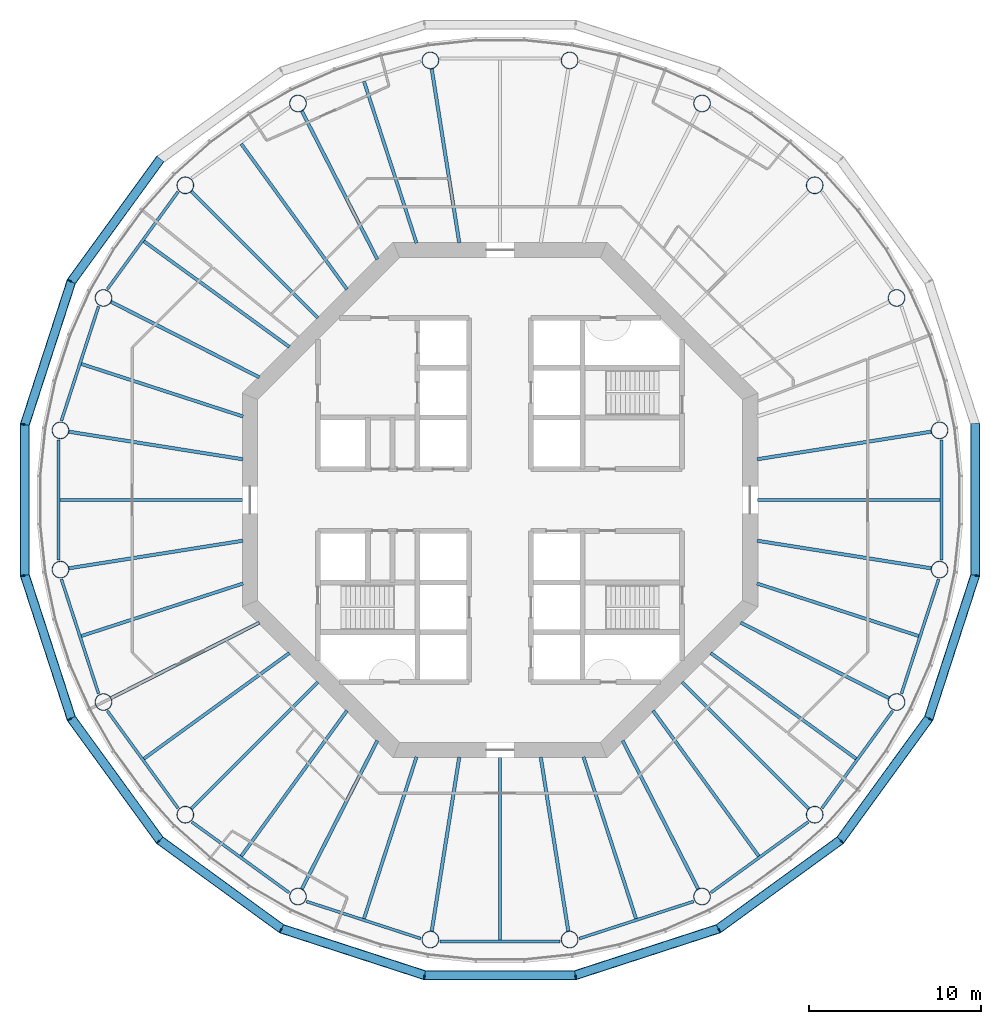
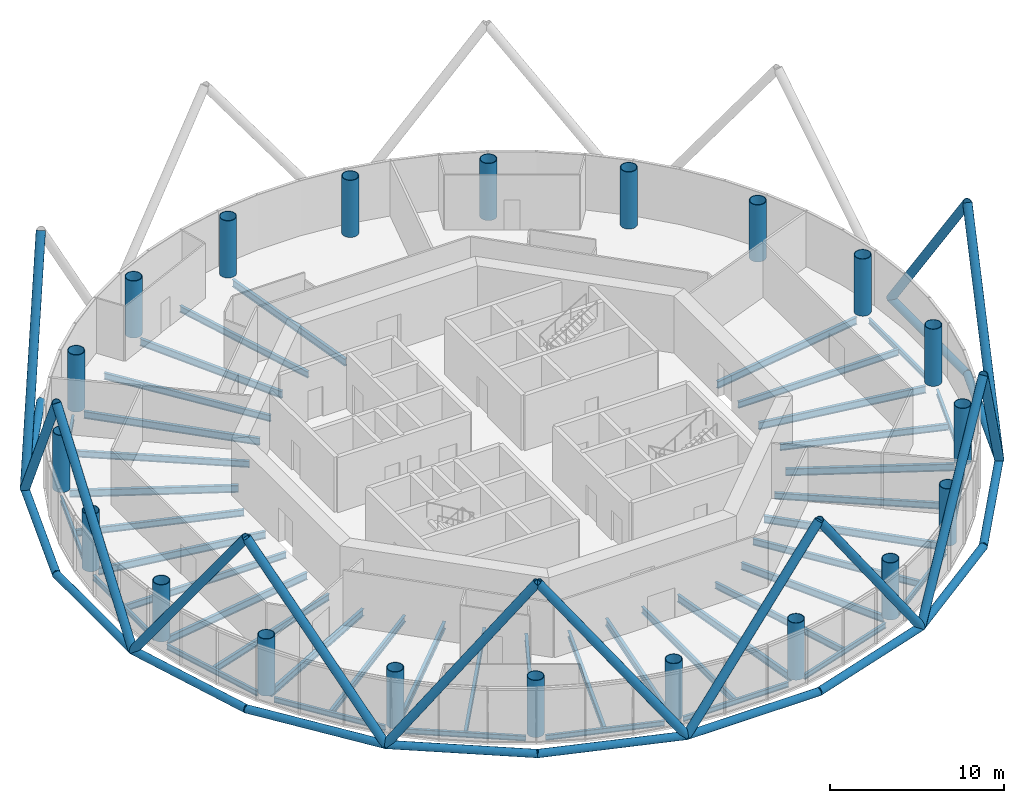
# One storey, part 1 of 12: 44 beams, 26 members, 20 columns.
"""IFC4 building model written with IfcOpenShell, lengths in metres."""

from ifc_helpers import new_model, si_unit, direction, frame, origin, origin_2d, place, context, subcontext, project, spatial, circle, hollow_circle, i_section, extrude, material, material_profile, profile_set, type_object, element, save


model = new_model("IFC4")

# Units and contexts
model_context = context("Model", 3, precision=1e-05, world=origin(), true_north=direction((0.0, 1.0)))
body_context = subcontext(model_context, "Body", "Model", "MODEL_VIEW")
ifc_project = project(units=[si_unit("LENGTHUNIT", "METRE"), si_unit("AREAUNIT", "SQUARE_METRE"), si_unit("VOLUMEUNIT", "CUBIC_METRE"), si_unit("PLANEANGLEUNIT", "RADIAN"), si_unit("MASSUNIT", "GRAM", prefix="KILO")], contexts=[model_context])

# Site, building, storey
site_placement = place(None, origin())
site = spatial("IfcSite", under=ifc_project, at=site_placement, CompositionType="ELEMENT")
building_placement = place(site_placement, origin())
building = spatial("IfcBuilding", under=site, at=building_placement, Name="Entoto Ring Tower", CompositionType="ELEMENT")
storey_placement = place(building_placement, frame((0.0, 0.0, 206.0)))
storey = spatial("IfcBuildingStorey", under=building, at=storey_placement, Name="L47", CompositionType="ELEMENT", Elevation=206.0)

# Columns
ifc_material_1 = material(Name="Steel S355", Category="steel")
ifc_material_profile_1 = material_profile(ifc_material_1, hollow_circle(Radius=0.5, WallThickness=0.0400390625, at=origin_2d()), Name="CHS 1000 x 40")
ifc_material_2 = material(Name="Concrete C60/75", Category="concrete")
ifc_material_profile_2 = material_profile(ifc_material_2, circle(Radius=0.4599609375, at=origin_2d()), Name="Concrete C60/75 infill")
ifc_profile_set_1 = profile_set([ifc_material_profile_1, ifc_material_profile_2], Name="Steel S355")
column_type = type_object("IfcColumnType", Name="Ring column 1000 x 40 concrete-filled tube", PredefinedType="COLUMN", material=ifc_profile_set_1)
for number, where, z_axis, x_axis, name in (
    (1, (115.5810546875, 84.0517578125, 0.0), (0.0, 0.0, 1.0), (1.0, 0.0, 0.0), "RC4 R01"),
    (2, (113.0771484375, 91.75830078125, 0.0), (0.0, 0.0, 1.0), (1.0, 0.0, 0.0), "RC4 R02"),
    (3, (108.31396484375, 98.31396484375, 0.0), (0.0, 0.0, 1.0), (1.0, 0.0, 0.0), "RC4 R03"),
    (4, (101.75830078125, 103.0771484375, 0.0), (0.0, 0.0, 1.0), (1.0, 0.0, 0.0), "RC4 R04"),
    (5, (94.0517578125, 105.5810546875, 0.0), (0.0, 0.0, 1.0), (1.0, 0.0, 0.0), "RC4 R05"),
    (6, (85.9482421875, 105.5810546875, 0.0), (0.0, 0.0, 1.0), (1.0, 0.0, 0.0), "RC4 R06"),
    (7, (78.24169921875, 103.0771484375, 0.0), (0.0, 0.0, 1.0), (1.0, 0.0, 0.0), "RC4 R07"),
    (8, (71.68603515625, 98.31396484375, 0.0), (0.0, 0.0, 1.0), (1.0, 0.0, 0.0), "RC4 R08"),
    (9, (66.9228515625, 91.75830078125, 0.0), (0.0, 0.0, 1.0), (1.0, 0.0, 0.0), "RC4 R09"),
    (10, (64.4189453125, 84.0517578125, 0.0), (0.0, 0.0, 1.0), (1.0, 0.0, 0.0), "RC4 R10"),
    (11, (64.4189453125, 75.9482421875, 0.0), (0.0, 0.0, 1.0), (1.0, 0.0, 0.0), "RC4 R11"),
    (12, (66.9228515625, 68.24169921875, 0.0), (0.0, 0.0, 1.0), (1.0, 0.0, 0.0), "RC4 R12"),
    (13, (71.68603515625, 61.68603515625, 0.0), (0.0, 0.0, 1.0), (1.0, 0.0, 0.0), "RC4 R13"),
    (14, (78.24169921875, 56.9228515625, 0.0), (0.0, 0.0, 1.0), (1.0, 0.0, 0.0), "RC4 R14"),
    (15, (85.9482421875, 54.4189453125, 0.0), (0.0, 0.0, 1.0), (1.0, 0.0, 0.0), "RC4 R15"),
    (16, (94.0517578125, 54.4189453125, 0.0), (0.0, 0.0, 1.0), (1.0, 0.0, 0.0), "RC4 R16"),
    (17, (101.75830078125, 56.9228515625, 0.0), (0.0, 0.0, 1.0), (1.0, 0.0, 0.0), "RC4 R17"),
    (18, (108.31396484375, 61.68603515625, 0.0), (0.0, 0.0, 1.0), (1.0, 0.0, 0.0), "RC4 R18"),
    (19, (113.0771484375, 68.24169921875, 0.0), (0.0, 0.0, 1.0), (1.0, 0.0, 0.0), "RC4 R19"),
    (20, (115.5810546875, 75.9482421875, 0.0), (0.0, 0.0, 1.0), (1.0, 0.0, 0.0), "RC4 R20"),
):
    element("IfcColumn", number, at=place(storey_placement, frame(where, z_axis=z_axis, x_axis=x_axis)), inside=storey, type_object=column_type, Name=name, PredefinedType="COLUMN", context=body_context, shape_type="SweptSolid", body=[
        extrude(hollow_circle(Radius=0.5, WallThickness=0.0400390625, at=origin_2d()), origin(), (0.0, 0.0, 1.0), 4.0),
    ])

# Members
ifc_material_3 = material(Name="Steel S355", Category="steel")
ifc_material_profile_3 = material_profile(ifc_material_3, hollow_circle(Radius=0.279541015625, WallThickness=0.028076171875, at=origin_2d()), Name="CHS 559 x 28")
ifc_material_4 = material(Name="Concrete C60/75", Category="concrete")
ifc_material_profile_4 = material_profile(ifc_material_4, circle(Radius=0.25146484375, at=origin_2d()), Name="Concrete C60/75 infill")
ifc_profile_set_2 = profile_set([ifc_material_profile_3, ifc_material_profile_4], Name="Steel S355")
member_type_1 = type_object("IfcMemberType", Name="Diagrid diagonal 559 x 28 concrete-filled tube", PredefinedType="BRACE", material=ifc_profile_set_2)
for number, where, z_axis, x_axis, name in (
    (21, (117.6552734375, 84.380126953125, 0.0), (0.0, -0.589622651769, 0.807678852342), (1.0, 0.0, 0.0), "DG5A module 15 01"),
    (22, (65.0517578125, 92.711669921875, 0.0), (0.346570479178, 0.477025319356, 0.807673045022), (-0.809024012567, 0.587775592458, 0.0), "DG5A module 15 09"),
    (23, (65.0517578125, 92.711669921875, 0.0), (-0.182200752594, -0.56076685453, 0.807677795049), (0.95105823263, -0.309011711991, 0.0), "DG5A module 15 10"),
    (24, (62.3447265625, 75.619873046875, 0.0), (0.0, 0.589622651769, 0.807678852342), (-1.0, 0.0, 0.0), "DG5A module 15 11"),
    (25, (62.3447265625, 75.619873046875, 0.0), (0.182200752594, -0.56076685453, 0.807677795049), (0.95105823263, 0.309011711991, 0.0), "DG5A module 15 12"),
    (26, (70.200927734375, 60.200927734375, 0.0), (-0.346570479178, 0.477025319356, 0.807673045022), (-0.809024012567, -0.587775592458, 0.0), "DG5A module 15 13"),
    (27, (70.200927734375, 60.200927734375, 0.0), (0.477025319356, -0.346570479178, 0.807673045022), (0.587775592458, 0.809024012567, 0.0), "DG5A module 15 14"),
    (28, (85.619873046875, 52.3447265625, 0.0), (-0.56076685453, 0.182200752594, 0.807677795049), (-0.309011711991, -0.95105823263, 0.0), "DG5A module 15 15"),
    (29, (85.619873046875, 52.3447265625, 0.0), (0.589622651769, 0.0, 0.807678852342), (0.0, 1.0, 0.0), "DG5A module 15 16"),
    (30, (102.711669921875, 55.0517578125, 0.0), (-0.56076685453, -0.182200752594, 0.807677795049), (0.309011711991, -0.95105823263, 0.0), "DG5A module 15 17"),
    (31, (102.711669921875, 55.0517578125, 0.0), (0.477025319356, 0.346570479178, 0.807673045022), (-0.587775592458, 0.809024012567, 0.0), "DG5A module 15 18"),
    (32, (114.9482421875, 67.288330078125, 0.0), (-0.346570479178, -0.477025319356, 0.807673045022), (0.809024012567, -0.587775592458, 0.0), "DG5A module 15 19"),
    (33, (114.9482421875, 67.288330078125, 0.0), (0.182200752594, 0.56076685453, 0.807677795049), (-0.95105823263, 0.309011711991, 0.0), "DG5A module 15 20"),
):
    element("IfcMember", number, at=place(storey_placement, frame(where, z_axis=z_axis, x_axis=x_axis)), inside=storey, type_object=member_type_1, Name=name, PredefinedType="BRACE", context=body_context, shape_type="SweptSolid", body=[
        extrude(hollow_circle(Radius=0.279541015625, WallThickness=0.028076171875, at=origin_2d()), origin(), (0.0, 0.0, 1.0), 14.857421875),
    ])
ifc_material_5 = material(Name="Steel S355", Category="steel")
ifc_material_profile_5 = material_profile(ifc_material_5, hollow_circle(Radius=0.25390625, WallThickness=0.030029296875, at=origin_2d()), Name="CHS 508 x 30")
ifc_material_6 = material(Name="Concrete C60/75", Category="concrete")
ifc_material_profile_6 = material_profile(ifc_material_6, circle(Radius=0.22412109375, at=origin_2d()), Name="Concrete C60/75 infill")
ifc_profile_set_3 = profile_set([ifc_material_profile_5, ifc_material_profile_6], Name="Steel S355")
member_type_2 = type_object("IfcMemberType", Name="Diagrid ring beam 508 x 30", PredefinedType="CHORD", material=ifc_profile_set_3)
for number, where, z_axis, x_axis, name in (
    (34, (70.236328125, 99.84765625, 0.0), (-0.587790766961, -0.809012987705, 0.0), (0.809012987705, -0.587790766961, 0.0), "DR2 ring 14 08"),
    (35, (65.0703125, 92.76904296875, 0.0), (-0.309002151976, -0.951061338755, 0.0), (0.951061338755, -0.309002151976, 0.0), "DR2 ring 14 09"),
):
    element("IfcMember", number, at=place(storey_placement, frame(where, z_axis=z_axis, x_axis=x_axis)), inside=storey, type_object=member_type_2, Name=name, PredefinedType="CHORD", context=body_context, shape_type="SweptSolid", body=[
        extrude(hollow_circle(Radius=0.25390625, WallThickness=0.030029296875, at=origin_2d()), origin(), (0.0, 0.0, 1.0), 8.880615234375),
    ])
member_1_placement = place(storey_placement, frame((62.3447265625, 84.4404296875, 0.0), z_axis=(0.0, -1.0, 0.0), x_axis=(1.0, 0.0, 0.0)))
element("IfcMember", 36, at=member_1_placement, inside=storey, type_object=member_type_2, Name="DR2 ring 14 10", PredefinedType="CHORD", context=body_context, shape_type="SweptSolid", body=[
    extrude(hollow_circle(Radius=0.25390625, WallThickness=0.030029296875, at=origin_2d()), origin(), (0.0, 0.0, 1.0), 8.880859375),
])
for number, where, z_axis, x_axis, name in (
    (37, (62.326171875, 75.677001953125, 0.0), (0.309002151976, -0.951061338755, 0.0), (0.951061338755, 0.309002151976, 0.0), "DR2 ring 14 11"),
    (38, (65.016357421875, 67.3369140625, 0.0), (0.587790766961, -0.809012987705, 0.0), (0.809012987705, 0.587790766961, 0.0), "DR2 ring 14 12"),
    (39, (70.15234375, 60.236328125, 0.0), (0.809012987705, -0.587790766961, 0.0), (0.587790766961, 0.809012987705, 0.0), "DR2 ring 14 13"),
    (40, (77.23095703125, 55.0703125, 0.0), (0.951061338755, -0.309002151976, 0.0), (0.309002151976, 0.951061338755, 0.0), "DR2 ring 14 14"),
):
    element("IfcMember", number, at=place(storey_placement, frame(where, z_axis=z_axis, x_axis=x_axis)), inside=storey, type_object=member_type_2, Name=name, PredefinedType="CHORD", context=body_context, shape_type="SweptSolid", body=[
        extrude(hollow_circle(Radius=0.25390625, WallThickness=0.030029296875, at=origin_2d()), origin(), (0.0, 0.0, 1.0), 8.880615234375),
    ])
member_2_placement = place(storey_placement, frame((85.5595703125, 52.3447265625, 0.0), z_axis=(1.0, 0.0, 0.0), x_axis=(0.0, 1.0, 0.0)))
element("IfcMember", 41, at=member_2_placement, inside=storey, type_object=member_type_2, Name="DR2 ring 14 15", PredefinedType="CHORD", context=body_context, shape_type="SweptSolid", body=[
    extrude(hollow_circle(Radius=0.25390625, WallThickness=0.030029296875, at=origin_2d()), origin(), (0.0, 0.0, 1.0), 8.880859375),
])
for number, where, z_axis, x_axis, name in (
    (42, (94.322998046875, 52.326171875, 0.0), (0.951061338755, 0.309002151976, 0.0), (-0.309002151976, 0.951061338755, 0.0), "DR2 ring 14 16"),
    (43, (102.6630859375, 55.016357421875, 0.0), (0.809012987705, 0.587790766961, 0.0), (-0.587790766961, 0.809012987705, 0.0), "DR2 ring 14 17"),
    (44, (109.763671875, 60.15234375, 0.0), (0.587790766961, 0.809012987705, 0.0), (-0.809012987705, 0.587790766961, 0.0), "DR2 ring 14 18"),
    (45, (114.9296875, 67.23095703125, 0.0), (0.309002151976, 0.951061338755, 0.0), (-0.951061338755, 0.309002151976, 0.0), "DR2 ring 14 19"),
):
    element("IfcMember", number, at=place(storey_placement, frame(where, z_axis=z_axis, x_axis=x_axis)), inside=storey, type_object=member_type_2, Name=name, PredefinedType="CHORD", context=body_context, shape_type="SweptSolid", body=[
        extrude(hollow_circle(Radius=0.25390625, WallThickness=0.030029296875, at=origin_2d()), origin(), (0.0, 0.0, 1.0), 8.880615234375),
    ])
member_3_placement = place(storey_placement, frame((117.6552734375, 75.5595703125, 0.0), z_axis=(0.0, 1.0, 0.0), x_axis=(-1.0, 0.0, 0.0)))
element("IfcMember", 46, at=member_3_placement, inside=storey, type_object=member_type_2, Name="DR2 ring 14 20", PredefinedType="CHORD", context=body_context, shape_type="SweptSolid", body=[
    extrude(hollow_circle(Radius=0.25390625, WallThickness=0.030029296875, at=origin_2d()), origin(), (0.0, 0.0, 1.0), 8.880859375),
])

# Beams
ifc_material_7 = material(Name="Steel S355", Category="steel")
ifc_material_profile_7 = material_profile(ifc_material_7, i_section(OverallWidth=0.169921875, OverallDepth=0.360107421875, WebThickness=0.008056640625, FlangeThickness=0.0126953125, FilletRadius=0.01806640625, at=origin_2d()), Name="IPE 360")
ifc_profile_set_4 = profile_set([ifc_material_profile_7], Name="Steel S355")
beam_type_1 = type_object("IfcBeamType", Name="Edge beam IPE 360", PredefinedType="SPANDREL", material=ifc_profile_set_4)
for number, where, z_axis, x_axis, name in (
    (47, (71.262939453125, 97.935302734375, -0.330078125), (-0.587787616177, -0.809015276907, 0.0), (0.809015276907, -0.587787616177, 0.0), "Edge beam L47 08"),
    (48, (66.6376953125, 91.267578125, -0.330078125), (-0.308992134367, -0.951064593442, 0.0), (0.951064593442, -0.308992134367, 0.0), "Edge beam L47 09"),
):
    element("IfcBeam", number, at=place(storey_placement, frame(where, z_axis=z_axis, x_axis=x_axis)), inside=storey, type_object=beam_type_1, Name=name, PredefinedType="SPANDREL", context=body_context, shape_type="SweptSolid", body=[
        extrude(i_section(OverallWidth=0.169921875, OverallDepth=0.360107421875, WebThickness=0.008056640625, FlangeThickness=0.0126953125, FilletRadius=0.01806640625, at=origin_2d()), origin(), (0.0, 0.0, 1.0), 6.993408203125),
    ])
beam_1_placement = place(storey_placement, frame((64.29931640625, 83.49658203125, -0.330078125), z_axis=(0.0, -1.0, 0.0), x_axis=(1.0, 0.0, 0.0)))
element("IfcBeam", 49, at=beam_1_placement, inside=storey, type_object=beam_type_1, Name="Edge beam L47 10", PredefinedType="SPANDREL", context=body_context, shape_type="SweptSolid", body=[
    extrude(i_section(OverallWidth=0.169921875, OverallDepth=0.360107421875, WebThickness=0.008056640625, FlangeThickness=0.0126953125, FilletRadius=0.01806640625, at=origin_2d()), origin(), (0.0, 0.0, 1.0), 6.9931640625),
])
for number, where, z_axis, x_axis, name in (
    (50, (64.476806640625, 75.383544921875, -0.330078125), (0.308992134367, -0.951064593442, 0.0), (0.951064593442, 0.308992134367, 0.0), "Edge beam L47 11"),
    (51, (67.15234375, 67.722412109375, -0.330078125), (0.587787616177, -0.809015276907, 0.0), (0.809015276907, 0.587787616177, 0.0), "Edge beam L47 12"),
    (52, (72.064697265625, 61.262939453125, -0.330078125), (0.809015276907, -0.587787616177, 0.0), (0.587787616177, 0.809015276907, 0.0), "Edge beam L47 13"),
    (53, (78.732421875, 56.6376953125, -0.330078125), (0.951064593442, -0.308992134367, 0.0), (0.308992134367, 0.951064593442, 0.0), "Edge beam L47 14"),
):
    element("IfcBeam", number, at=place(storey_placement, frame(where, z_axis=z_axis, x_axis=x_axis)), inside=storey, type_object=beam_type_1, Name=name, PredefinedType="SPANDREL", context=body_context, shape_type="SweptSolid", body=[
        extrude(i_section(OverallWidth=0.169921875, OverallDepth=0.360107421875, WebThickness=0.008056640625, FlangeThickness=0.0126953125, FilletRadius=0.01806640625, at=origin_2d()), origin(), (0.0, 0.0, 1.0), 6.993408203125),
    ])
beam_2_placement = place(storey_placement, frame((86.50341796875, 54.29931640625, -0.330078125), z_axis=(1.0, 0.0, 0.0), x_axis=(0.0, 1.0, 0.0)))
element("IfcBeam", 54, at=beam_2_placement, inside=storey, type_object=beam_type_1, Name="Edge beam L47 15", PredefinedType="SPANDREL", context=body_context, shape_type="SweptSolid", body=[
    extrude(i_section(OverallWidth=0.169921875, OverallDepth=0.360107421875, WebThickness=0.008056640625, FlangeThickness=0.0126953125, FilletRadius=0.01806640625, at=origin_2d()), origin(), (0.0, 0.0, 1.0), 6.9931640625),
])
for number, where, z_axis, x_axis, name in (
    (55, (94.616455078125, 54.476806640625, -0.330078125), (0.951064593442, 0.308992134367, 0.0), (-0.308992134367, 0.951064593442, 0.0), "Edge beam L47 16"),
    (56, (102.277587890625, 57.15234375, -0.330078125), (0.809015276907, 0.587787616177, 0.0), (-0.587787616177, 0.809015276907, 0.0), "Edge beam L47 17"),
    (57, (108.737060546875, 62.064697265625, -0.330078125), (0.587787616177, 0.809015276907, 0.0), (-0.809015276907, 0.587787616177, 0.0), "Edge beam L47 18"),
    (58, (113.3623046875, 68.732421875, -0.330078125), (0.308992134367, 0.951064593442, 0.0), (-0.951064593442, 0.308992134367, 0.0), "Edge beam L47 19"),
):
    element("IfcBeam", number, at=place(storey_placement, frame(where, z_axis=z_axis, x_axis=x_axis)), inside=storey, type_object=beam_type_1, Name=name, PredefinedType="SPANDREL", context=body_context, shape_type="SweptSolid", body=[
        extrude(i_section(OverallWidth=0.169921875, OverallDepth=0.360107421875, WebThickness=0.008056640625, FlangeThickness=0.0126953125, FilletRadius=0.01806640625, at=origin_2d()), origin(), (0.0, 0.0, 1.0), 6.993408203125),
    ])
beam_3_placement = place(storey_placement, frame((115.70068359375, 76.50341796875, -0.330078125), z_axis=(0.0, 1.0, 0.0), x_axis=(-1.0, 0.0, 0.0)))
element("IfcBeam", 59, at=beam_3_placement, inside=storey, type_object=beam_type_1, Name="Edge beam L47 20", PredefinedType="SPANDREL", context=body_context, shape_type="SweptSolid", body=[
    extrude(i_section(OverallWidth=0.169921875, OverallDepth=0.360107421875, WebThickness=0.008056640625, FlangeThickness=0.0126953125, FilletRadius=0.01806640625, at=origin_2d()), origin(), (0.0, 0.0, 1.0), 6.9931640625),
])
ifc_material_8 = material(Name="Steel S355", Category="steel")
ifc_material_profile_8 = material_profile(ifc_material_8, i_section(OverallWidth=0.199951171875, OverallDepth=0.5, WebThickness=0.01025390625, FlangeThickness=0.01611328125, FilletRadius=0.02099609375, at=origin_2d()), Name="IPE 500")
ifc_profile_set_5 = profile_set([ifc_material_profile_8], Name="Steel S355")
beam_type_2 = type_object("IfcBeamType", Name="Primary floor beam IPE 500", PredefinedType="BEAM", material=ifc_profile_set_5)
for number, where, z_axis, x_axis, name in (
    (60, (104.964599609375, 82.3701171875, -0.39990234375), (0.987686054012, 0.156448901274, 0.0), (-0.156448901274, 0.987686054012, 0.0), "Primary L47 R01"),
    (61, (87.6298828125, 94.964599609375, -0.39990234375), (-0.156448901274, 0.987686054012, 0.0), (-0.987686054012, -0.156448901274, 0.0), "Primary L47 R06"),
):
    element("IfcBeam", number, at=place(storey_placement, frame(where, z_axis=z_axis, x_axis=x_axis)), inside=storey, type_object=beam_type_2, Name=name, PredefinedType="BEAM", context=body_context, shape_type="SweptSolid", body=[
        extrude(i_section(OverallWidth=0.199951171875, OverallDepth=0.5, WebThickness=0.01025390625, FlangeThickness=0.01611328125, FilletRadius=0.02099609375, at=origin_2d()), origin(), (0.0, 0.0, 1.0), 10.285400390625),
    ])
beam_4_placement = place(storey_placement, frame((82.863525390625, 94.006103515625, -0.39990234375), z_axis=(-0.453984495498, 0.891009583477, 0.0), x_axis=(-0.891009583477, -0.453984495498, 0.0)))
element("IfcBeam", 62, at=beam_4_placement, inside=storey, type_object=beam_type_2, Name="Primary L47 R07", PredefinedType="BEAM", context=body_context, shape_type="SweptSolid", body=[
    extrude(i_section(OverallWidth=0.199951171875, OverallDepth=0.5, WebThickness=0.01025390625, FlangeThickness=0.01611328125, FilletRadius=0.02099609375, at=origin_2d()), origin(), (0.0, 0.0, 1.0), 9.717041015625),
])
beam_5_placement = place(storey_placement, frame((79.407470703125, 90.592529296875, -0.39990234375), z_axis=(-0.707106781187, 0.707106781187, 0.0), x_axis=(-0.707106781187, -0.707106781187, 0.0)))
element("IfcBeam", 63, at=beam_5_placement, inside=storey, type_object=beam_type_2, Name="Primary L47 R08", PredefinedType="BEAM", context=body_context, shape_type="SweptSolid", body=[
    extrude(i_section(OverallWidth=0.199951171875, OverallDepth=0.5, WebThickness=0.01025390625, FlangeThickness=0.01611328125, FilletRadius=0.02099609375, at=origin_2d()), origin(), (0.0, 0.0, 1.0), 10.456298828125),
])
beam_6_placement = place(storey_placement, frame((75.993896484375, 87.136474609375, -0.39990234375), z_axis=(-0.891009583477, 0.453984495498, 0.0), x_axis=(-0.453984495498, -0.891009583477, 0.0)))
element("IfcBeam", 64, at=beam_6_placement, inside=storey, type_object=beam_type_2, Name="Primary L47 R09", PredefinedType="BEAM", context=body_context, shape_type="SweptSolid", body=[
    extrude(i_section(OverallWidth=0.199951171875, OverallDepth=0.5, WebThickness=0.01025390625, FlangeThickness=0.01611328125, FilletRadius=0.02099609375, at=origin_2d()), origin(), (0.0, 0.0, 1.0), 9.717041015625),
])
for number, where, z_axis, x_axis, name in (
    (65, (75.035400390625, 82.3701171875, -0.39990234375), (-0.987686054012, 0.156448901274, 0.0), (-0.156448901274, -0.987686054012, 0.0), "Primary L47 R10"),
    (66, (75.035400390625, 77.6298828125, -0.39990234375), (-0.987686054012, -0.156448901274, 0.0), (0.156448901274, -0.987686054012, 0.0), "Primary L47 R11"),
):
    element("IfcBeam", number, at=place(storey_placement, frame(where, z_axis=z_axis, x_axis=x_axis)), inside=storey, type_object=beam_type_2, Name=name, PredefinedType="BEAM", context=body_context, shape_type="SweptSolid", body=[
        extrude(i_section(OverallWidth=0.199951171875, OverallDepth=0.5, WebThickness=0.01025390625, FlangeThickness=0.01611328125, FilletRadius=0.02099609375, at=origin_2d()), origin(), (0.0, 0.0, 1.0), 10.285400390625),
    ])
beam_7_placement = place(storey_placement, frame((75.993896484375, 72.863525390625, -0.39990234375), z_axis=(-0.891009583477, -0.453984495498, 0.0), x_axis=(0.453984495498, -0.891009583477, 0.0)))
element("IfcBeam", 67, at=beam_7_placement, inside=storey, type_object=beam_type_2, Name="Primary L47 R12", PredefinedType="BEAM", context=body_context, shape_type="SweptSolid", body=[
    extrude(i_section(OverallWidth=0.199951171875, OverallDepth=0.5, WebThickness=0.01025390625, FlangeThickness=0.01611328125, FilletRadius=0.02099609375, at=origin_2d()), origin(), (0.0, 0.0, 1.0), 9.717041015625),
])
beam_8_placement = place(storey_placement, frame((79.407470703125, 69.407470703125, -0.39990234375), z_axis=(-0.707106781187, -0.707106781187, 0.0), x_axis=(0.707106781187, -0.707106781187, 0.0)))
element("IfcBeam", 68, at=beam_8_placement, inside=storey, type_object=beam_type_2, Name="Primary L47 R13", PredefinedType="BEAM", context=body_context, shape_type="SweptSolid", body=[
    extrude(i_section(OverallWidth=0.199951171875, OverallDepth=0.5, WebThickness=0.01025390625, FlangeThickness=0.01611328125, FilletRadius=0.02099609375, at=origin_2d()), origin(), (0.0, 0.0, 1.0), 10.456298828125),
])
beam_9_placement = place(storey_placement, frame((82.863525390625, 65.993896484375, -0.39990234375), z_axis=(-0.453984495498, -0.891009583477, 0.0), x_axis=(0.891009583477, -0.453984495498, 0.0)))
element("IfcBeam", 69, at=beam_9_placement, inside=storey, type_object=beam_type_2, Name="Primary L47 R14", PredefinedType="BEAM", context=body_context, shape_type="SweptSolid", body=[
    extrude(i_section(OverallWidth=0.199951171875, OverallDepth=0.5, WebThickness=0.01025390625, FlangeThickness=0.01611328125, FilletRadius=0.02099609375, at=origin_2d()), origin(), (0.0, 0.0, 1.0), 9.717041015625),
])
for number, where, z_axis, x_axis, name in (
    (70, (87.6298828125, 65.035400390625, -0.39990234375), (-0.156448901274, -0.987686054012, 0.0), (0.987686054012, -0.156448901274, 0.0), "Primary L47 R15"),
    (71, (92.3701171875, 65.035400390625, -0.39990234375), (0.156448901274, -0.987686054012, 0.0), (0.987686054012, 0.156448901274, 0.0), "Primary L47 R16"),
):
    element("IfcBeam", number, at=place(storey_placement, frame(where, z_axis=z_axis, x_axis=x_axis)), inside=storey, type_object=beam_type_2, Name=name, PredefinedType="BEAM", context=body_context, shape_type="SweptSolid", body=[
        extrude(i_section(OverallWidth=0.199951171875, OverallDepth=0.5, WebThickness=0.01025390625, FlangeThickness=0.01611328125, FilletRadius=0.02099609375, at=origin_2d()), origin(), (0.0, 0.0, 1.0), 10.285400390625),
    ])
beam_10_placement = place(storey_placement, frame((97.136474609375, 65.993896484375, -0.39990234375), z_axis=(0.453984495498, -0.891009583477, 0.0), x_axis=(0.891009583477, 0.453984495498, 0.0)))
element("IfcBeam", 72, at=beam_10_placement, inside=storey, type_object=beam_type_2, Name="Primary L47 R17", PredefinedType="BEAM", context=body_context, shape_type="SweptSolid", body=[
    extrude(i_section(OverallWidth=0.199951171875, OverallDepth=0.5, WebThickness=0.01025390625, FlangeThickness=0.01611328125, FilletRadius=0.02099609375, at=origin_2d()), origin(), (0.0, 0.0, 1.0), 9.717041015625),
])
beam_11_placement = place(storey_placement, frame((100.592529296875, 69.407470703125, -0.39990234375), z_axis=(0.707106781187, -0.707106781187, 0.0), x_axis=(0.707106781187, 0.707106781187, 0.0)))
element("IfcBeam", 73, at=beam_11_placement, inside=storey, type_object=beam_type_2, Name="Primary L47 R18", PredefinedType="BEAM", context=body_context, shape_type="SweptSolid", body=[
    extrude(i_section(OverallWidth=0.199951171875, OverallDepth=0.5, WebThickness=0.01025390625, FlangeThickness=0.01611328125, FilletRadius=0.02099609375, at=origin_2d()), origin(), (0.0, 0.0, 1.0), 10.456298828125),
])
beam_12_placement = place(storey_placement, frame((104.006103515625, 72.863525390625, -0.39990234375), z_axis=(0.891009583477, -0.453984495498, 0.0), x_axis=(0.453984495498, 0.891009583477, 0.0)))
element("IfcBeam", 74, at=beam_12_placement, inside=storey, type_object=beam_type_2, Name="Primary L47 R19", PredefinedType="BEAM", context=body_context, shape_type="SweptSolid", body=[
    extrude(i_section(OverallWidth=0.199951171875, OverallDepth=0.5, WebThickness=0.01025390625, FlangeThickness=0.01611328125, FilletRadius=0.02099609375, at=origin_2d()), origin(), (0.0, 0.0, 1.0), 9.717041015625),
])
beam_13_placement = place(storey_placement, frame((104.964599609375, 77.6298828125, -0.39990234375), z_axis=(0.987686054012, -0.156448901274, 0.0), x_axis=(0.156448901274, 0.987686054012, 0.0)))
element("IfcBeam", 75, at=beam_13_placement, inside=storey, type_object=beam_type_2, Name="Primary L47 R20", PredefinedType="BEAM", context=body_context, shape_type="SweptSolid", body=[
    extrude(i_section(OverallWidth=0.199951171875, OverallDepth=0.5, WebThickness=0.01025390625, FlangeThickness=0.01611328125, FilletRadius=0.02099609375, at=origin_2d()), origin(), (0.0, 0.0, 1.0), 10.285400390625),
])
ifc_material_9 = material(Name="Steel S355", Category="steel")
ifc_material_profile_9 = material_profile(ifc_material_9, i_section(OverallWidth=0.18994140625, OverallDepth=0.449951171875, WebThickness=0.009521484375, FlangeThickness=0.0146484375, FilletRadius=0.02099609375, at=origin_2d()), Name="IPE 450")
ifc_profile_set_6 = profile_set([ifc_material_profile_9], Name="Steel S355")
beam_type_3 = type_object("IfcBeamType", Name="Secondary floor beam IPE 450", PredefinedType="JOIST", material=ifc_profile_set_6)
beam_14_placement = place(storey_placement, frame((85.141845703125, 94.95166015625, -0.375), z_axis=(-0.309023583365, 0.951054375377, 0.0), x_axis=(-0.951054375377, -0.309023583365, 0.0)))
element("IfcBeam", 76, at=beam_14_placement, inside=storey, type_object=beam_type_3, Name="Secondary beam L47 06", PredefinedType="JOIST", context=body_context, shape_type="SweptSolid", body=[
    extrude(i_section(OverallWidth=0.18994140625, OverallDepth=0.449951171875, WebThickness=0.009521484375, FlangeThickness=0.0146484375, FilletRadius=0.02099609375, at=origin_2d()), origin(), (0.0, 0.0, 1.0), 9.89453125),
])
for number, where, z_axis, x_axis, name in (
    (77, (81.093994140625, 92.258056640625, -0.375), (-0.587783181287, 0.809018499045, 0.0), (-0.809018499045, -0.587783181287, 0.0), "Secondary beam L47 07"),
    (78, (77.741943359375, 88.906005859375, -0.375), (-0.809018499045, 0.587783181287, 0.0), (-0.587783181287, -0.809018499045, 0.0), "Secondary beam L47 08"),
):
    element("IfcBeam", number, at=place(storey_placement, frame(where, z_axis=z_axis, x_axis=x_axis)), inside=storey, type_object=beam_type_3, Name=name, PredefinedType="JOIST", context=body_context, shape_type="SweptSolid", body=[
        extrude(i_section(OverallWidth=0.18994140625, OverallDepth=0.449951171875, WebThickness=0.009521484375, FlangeThickness=0.0146484375, FilletRadius=0.02099609375, at=origin_2d()), origin(), (0.0, 0.0, 1.0), 10.463623046875),
    ])
beam_15_placement = place(storey_placement, frame((75.04833984375, 84.858154296875, -0.375), z_axis=(-0.951054375377, 0.309023583365, 0.0), x_axis=(-0.309023583365, -0.951054375377, 0.0)))
element("IfcBeam", 79, at=beam_15_placement, inside=storey, type_object=beam_type_3, Name="Secondary beam L47 09", PredefinedType="JOIST", context=body_context, shape_type="SweptSolid", body=[
    extrude(i_section(OverallWidth=0.18994140625, OverallDepth=0.449951171875, WebThickness=0.009521484375, FlangeThickness=0.0146484375, FilletRadius=0.02099609375, at=origin_2d()), origin(), (0.0, 0.0, 1.0), 9.89453125),
])
beam_16_placement = place(storey_placement, frame((75.02001953125, 80.0, -0.375), z_axis=(-1.0, 0.0, 0.0), x_axis=(0.0, -1.0, 0.0)))
element("IfcBeam", 80, at=beam_16_placement, inside=storey, type_object=beam_type_3, Name="Secondary beam L47 10", PredefinedType="JOIST", context=body_context, shape_type="SweptSolid", body=[
    extrude(i_section(OverallWidth=0.18994140625, OverallDepth=0.449951171875, WebThickness=0.009521484375, FlangeThickness=0.0146484375, FilletRadius=0.02099609375, at=origin_2d()), origin(), (0.0, 0.0, 1.0), 10.6357421875),
])
beam_17_placement = place(storey_placement, frame((75.04833984375, 75.141845703125, -0.375), z_axis=(-0.951054375377, -0.309023583365, 0.0), x_axis=(0.309023583365, -0.951054375377, 0.0)))
element("IfcBeam", 81, at=beam_17_placement, inside=storey, type_object=beam_type_3, Name="Secondary beam L47 11", PredefinedType="JOIST", context=body_context, shape_type="SweptSolid", body=[
    extrude(i_section(OverallWidth=0.18994140625, OverallDepth=0.449951171875, WebThickness=0.009521484375, FlangeThickness=0.0146484375, FilletRadius=0.02099609375, at=origin_2d()), origin(), (0.0, 0.0, 1.0), 9.89453125),
])
for number, where, z_axis, x_axis, name in (
    (82, (77.741943359375, 71.093994140625, -0.375), (-0.809018499045, -0.587783181287, 0.0), (0.587783181287, -0.809018499045, 0.0), "Secondary beam L47 12"),
    (83, (81.093994140625, 67.741943359375, -0.375), (-0.587783181287, -0.809018499045, 0.0), (0.809018499045, -0.587783181287, 0.0), "Secondary beam L47 13"),
):
    element("IfcBeam", number, at=place(storey_placement, frame(where, z_axis=z_axis, x_axis=x_axis)), inside=storey, type_object=beam_type_3, Name=name, PredefinedType="JOIST", context=body_context, shape_type="SweptSolid", body=[
        extrude(i_section(OverallWidth=0.18994140625, OverallDepth=0.449951171875, WebThickness=0.009521484375, FlangeThickness=0.0146484375, FilletRadius=0.02099609375, at=origin_2d()), origin(), (0.0, 0.0, 1.0), 10.463623046875),
    ])
beam_18_placement = place(storey_placement, frame((85.141845703125, 65.04833984375, -0.375), z_axis=(-0.309023583365, -0.951054375377, 0.0), x_axis=(0.951054375377, -0.309023583365, 0.0)))
element("IfcBeam", 84, at=beam_18_placement, inside=storey, type_object=beam_type_3, Name="Secondary beam L47 14", PredefinedType="JOIST", context=body_context, shape_type="SweptSolid", body=[
    extrude(i_section(OverallWidth=0.18994140625, OverallDepth=0.449951171875, WebThickness=0.009521484375, FlangeThickness=0.0146484375, FilletRadius=0.02099609375, at=origin_2d()), origin(), (0.0, 0.0, 1.0), 9.89453125),
])
beam_19_placement = place(storey_placement, frame((90.0, 65.02001953125, -0.375), z_axis=(0.0, -1.0, 0.0), x_axis=(1.0, 0.0, 0.0)))
element("IfcBeam", 85, at=beam_19_placement, inside=storey, type_object=beam_type_3, Name="Secondary beam L47 15", PredefinedType="JOIST", context=body_context, shape_type="SweptSolid", body=[
    extrude(i_section(OverallWidth=0.18994140625, OverallDepth=0.449951171875, WebThickness=0.009521484375, FlangeThickness=0.0146484375, FilletRadius=0.02099609375, at=origin_2d()), origin(), (0.0, 0.0, 1.0), 10.6357421875),
])
beam_20_placement = place(storey_placement, frame((94.858154296875, 65.04833984375, -0.375), z_axis=(0.309023583365, -0.951054375377, 0.0), x_axis=(0.951054375377, 0.309023583365, 0.0)))
element("IfcBeam", 86, at=beam_20_placement, inside=storey, type_object=beam_type_3, Name="Secondary beam L47 16", PredefinedType="JOIST", context=body_context, shape_type="SweptSolid", body=[
    extrude(i_section(OverallWidth=0.18994140625, OverallDepth=0.449951171875, WebThickness=0.009521484375, FlangeThickness=0.0146484375, FilletRadius=0.02099609375, at=origin_2d()), origin(), (0.0, 0.0, 1.0), 9.89453125),
])
for number, where, z_axis, x_axis, name in (
    (87, (98.906005859375, 67.741943359375, -0.375), (0.587783181287, -0.809018499045, 0.0), (0.809018499045, 0.587783181287, 0.0), "Secondary beam L47 17"),
    (88, (102.258056640625, 71.093994140625, -0.375), (0.809018499045, -0.587783181287, 0.0), (0.587783181287, 0.809018499045, 0.0), "Secondary beam L47 18"),
):
    element("IfcBeam", number, at=place(storey_placement, frame(where, z_axis=z_axis, x_axis=x_axis)), inside=storey, type_object=beam_type_3, Name=name, PredefinedType="JOIST", context=body_context, shape_type="SweptSolid", body=[
        extrude(i_section(OverallWidth=0.18994140625, OverallDepth=0.449951171875, WebThickness=0.009521484375, FlangeThickness=0.0146484375, FilletRadius=0.02099609375, at=origin_2d()), origin(), (0.0, 0.0, 1.0), 10.463623046875),
    ])
beam_21_placement = place(storey_placement, frame((104.95166015625, 75.141845703125, -0.375), z_axis=(0.951054375377, -0.309023583365, 0.0), x_axis=(0.309023583365, 0.951054375377, 0.0)))
element("IfcBeam", 89, at=beam_21_placement, inside=storey, type_object=beam_type_3, Name="Secondary beam L47 19", PredefinedType="JOIST", context=body_context, shape_type="SweptSolid", body=[
    extrude(i_section(OverallWidth=0.18994140625, OverallDepth=0.449951171875, WebThickness=0.009521484375, FlangeThickness=0.0146484375, FilletRadius=0.02099609375, at=origin_2d()), origin(), (0.0, 0.0, 1.0), 9.89453125),
])
beam_22_placement = place(storey_placement, frame((104.97998046875, 80.0, -0.375), z_axis=(1.0, 0.0, 0.0), x_axis=(0.0, 1.0, 0.0)))
element("IfcBeam", 90, at=beam_22_placement, inside=storey, type_object=beam_type_3, Name="Secondary beam L47 20", PredefinedType="JOIST", context=body_context, shape_type="SweptSolid", body=[
    extrude(i_section(OverallWidth=0.18994140625, OverallDepth=0.449951171875, WebThickness=0.009521484375, FlangeThickness=0.0146484375, FilletRadius=0.02099609375, at=origin_2d()), origin(), (0.0, 0.0, 1.0), 10.6357421875),
])

save(model, "model.ifc")
